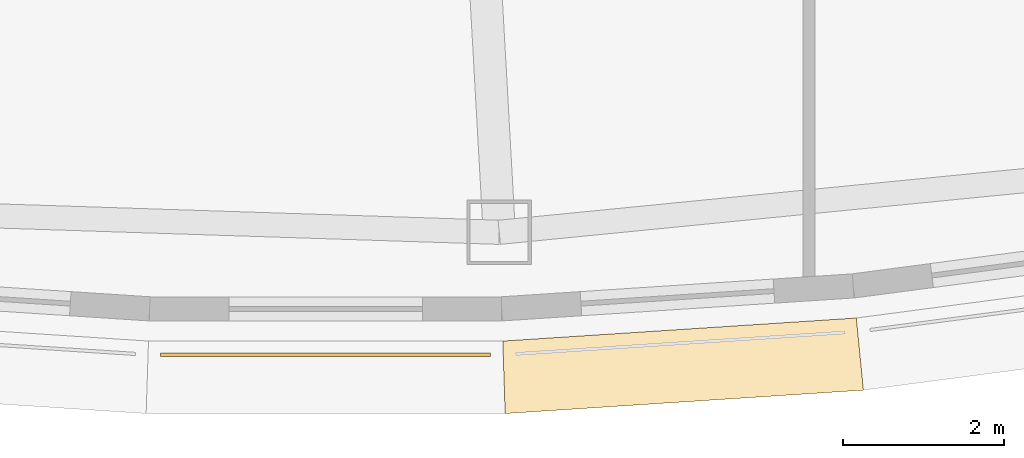
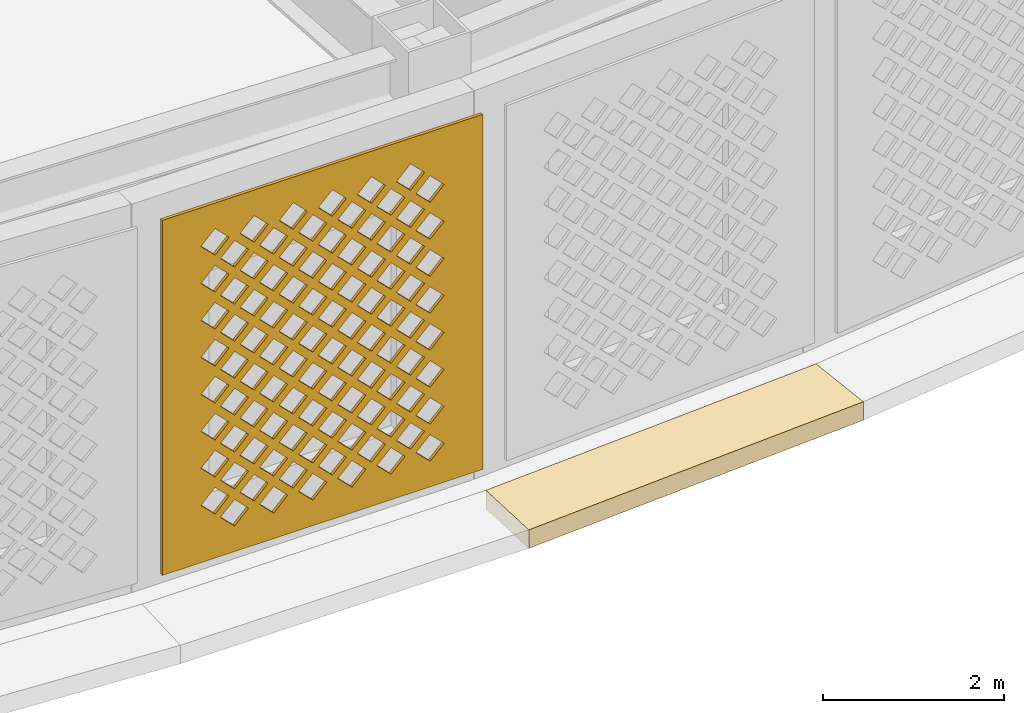
# One storey, part 52 of 69: 2 coverings.
"""IFC4 building model written with IfcOpenShell, lengths in metres."""

from ifc_helpers import new_model, si_unit, direction, frame, origin, place, context, subcontext, project, spatial, polyline, outline, extrude, material, layer, layer_set, type_object, element, save


model = new_model("IFC4")

# Units and contexts
model_context = context("Model", 3, precision=1e-05, world=origin(), true_north=direction((0.0, 1.0)))
body_context = subcontext(model_context, "Body", "Model", "MODEL_VIEW")
ifc_project = project(units=[si_unit("LENGTHUNIT", "METRE"), si_unit("AREAUNIT", "SQUARE_METRE"), si_unit("VOLUMEUNIT", "CUBIC_METRE"), si_unit("PLANEANGLEUNIT", "RADIAN"), si_unit("MASSUNIT", "GRAM", prefix="KILO")], contexts=[model_context])

# Site, building, storey
site_placement = place(None, origin())
site = spatial("IfcSite", under=ifc_project, at=site_placement, CompositionType="ELEMENT")
building_placement = place(site_placement, origin())
building = spatial("IfcBuilding", under=site, at=building_placement, Name="Noorbagh Ring Tower", CompositionType="ELEMENT")
storey_placement = place(building_placement, frame((0.0, 0.0, 19.5)))
storey = spatial("IfcBuildingStorey", under=building, at=storey_placement, Name="L03", CompositionType="ELEMENT", Elevation=19.5)

# Coverings
ifc_material_1 = material(Name="Red sandstone eave", Category="masonry")
covering_type_1 = type_object("IfcCoveringType", Name="STY-CHHAJJA", PredefinedType="USERDEFINED", material=ifc_material_1)
covering_1_placement = place(storey_placement, frame((0.0, 0.0, -0.25)))
element("IfcCovering", 1, at=covering_1_placement, inside=storey, type_object=covering_type_1, Name="Chhajja eave", ObjectType="CHHAJJA", PredefinedType="USERDEFINED", context=body_context, shape_type="SweptSolid", body=[
    extrude(outline(polyline([(2.198486328125, -39.964111328125), (6.586181640625, -39.677978515625), (6.67431640625, -40.573974609375), (2.227783203125, -40.8642578125), (2.198486328125, -39.964111328125)])), origin(), (0.0, 0.0, 1.0), 0.25),
])
ifc_material_2 = material(Name="Red sandstone jali", Category="masonry")
ifc_layer = layer(ifc_material_2, 0.0400390625)
ifc_layer_set = layer_set([ifc_layer], Name="Red sandstone jali")
covering_type_2 = type_object("IfcCoveringType", Name="STY-JALI", PredefinedType="USERDEFINED", material=ifc_layer_set)
covering_2_placement = place(storey_placement, frame((-2.048583984375, -40.154296875, 0.449951171875), z_axis=(0.0, -1.0, 0.0), x_axis=(1.0, 0.0, 0.0)))
element("IfcCovering", 2, at=covering_2_placement, inside=storey, type_object=covering_type_2, Name="Jali screen", ObjectType="SCREEN", PredefinedType="USERDEFINED", context=body_context, shape_type="SweptSolid", body=[
    extrude(outline(polyline([(0.0, 0.0), (4.09716796875, 0.0), (4.09716796875, 4.800048828125), (0.0, 4.800048828125), (0.0, 0.0)]), holes=[polyline([(0.743408203125, 0.52490234375), (0.923583984375, 0.344970703125), (1.103515625, 0.52490234375), (0.923583984375, 0.705078125), (0.743408203125, 0.52490234375)]), polyline([(1.243408203125, 0.52490234375), (1.423583984375, 0.344970703125), (1.603515625, 0.52490234375), (1.423583984375, 0.705078125), (1.243408203125, 0.52490234375)]), polyline([(1.743408203125, 0.52490234375), (1.923583984375, 0.344970703125), (2.103515625, 0.52490234375), (1.923583984375, 0.705078125), (1.743408203125, 0.52490234375)]), polyline([(2.243408203125, 0.52490234375), (2.423583984375, 0.344970703125), (2.603515625, 0.52490234375), (2.423583984375, 0.705078125), (2.243408203125, 0.52490234375)]), polyline([(2.743408203125, 0.52490234375), (2.923583984375, 0.344970703125), (3.103515625, 0.52490234375), (2.923583984375, 0.705078125), (2.743408203125, 0.52490234375)]), polyline([(3.243408203125, 0.52490234375), (3.423583984375, 0.344970703125), (3.603515625, 0.52490234375), (3.423583984375, 0.705078125), (3.243408203125, 0.52490234375)]), polyline([(0.493408203125, 0.77490234375), (0.673583984375, 0.594970703125), (0.853515625, 0.77490234375), (0.673583984375, 0.955078125), (0.493408203125, 0.77490234375)]), polyline([(0.993408203125, 0.77490234375), (1.173583984375, 0.594970703125), (1.353515625, 0.77490234375), (1.173583984375, 0.955078125), (0.993408203125, 0.77490234375)]), polyline([(1.493408203125, 0.77490234375), (1.673583984375, 0.594970703125), (1.853515625, 0.77490234375), (1.673583984375, 0.955078125), (1.493408203125, 0.77490234375)]), polyline([(1.993408203125, 0.77490234375), (2.173583984375, 0.594970703125), (2.353515625, 0.77490234375), (2.173583984375, 0.955078125), (1.993408203125, 0.77490234375)]), polyline([(2.493408203125, 0.77490234375), (2.673583984375, 0.594970703125), (2.853515625, 0.77490234375), (2.673583984375, 0.955078125), (2.493408203125, 0.77490234375)]), polyline([(2.993408203125, 0.77490234375), (3.173583984375, 0.594970703125), (3.353515625, 0.77490234375), (3.173583984375, 0.955078125), (2.993408203125, 0.77490234375)]), polyline([(0.743408203125, 1.02490234375), (0.923583984375, 0.844970703125), (1.103515625, 1.02490234375), (0.923583984375, 1.205078125), (0.743408203125, 1.02490234375)]), polyline([(1.243408203125, 1.02490234375), (1.423583984375, 0.844970703125), (1.603515625, 1.02490234375), (1.423583984375, 1.205078125), (1.243408203125, 1.02490234375)]), polyline([(1.743408203125, 1.02490234375), (1.923583984375, 0.844970703125), (2.103515625, 1.02490234375), (1.923583984375, 1.205078125), (1.743408203125, 1.02490234375)]), polyline([(2.243408203125, 1.02490234375), (2.423583984375, 0.844970703125), (2.603515625, 1.02490234375), (2.423583984375, 1.205078125), (2.243408203125, 1.02490234375)]), polyline([(2.743408203125, 1.02490234375), (2.923583984375, 0.844970703125), (3.103515625, 1.02490234375), (2.923583984375, 1.205078125), (2.743408203125, 1.02490234375)]), polyline([(3.243408203125, 1.02490234375), (3.423583984375, 0.844970703125), (3.603515625, 1.02490234375), (3.423583984375, 1.205078125), (3.243408203125, 1.02490234375)]), polyline([(0.493408203125, 1.27490234375), (0.673583984375, 1.094970703125), (0.853515625, 1.27490234375), (0.673583984375, 1.455078125), (0.493408203125, 1.27490234375)]), polyline([(0.993408203125, 1.27490234375), (1.173583984375, 1.094970703125), (1.353515625, 1.27490234375), (1.173583984375, 1.455078125), (0.993408203125, 1.27490234375)]), polyline([(1.493408203125, 1.27490234375), (1.673583984375, 1.094970703125), (1.853515625, 1.27490234375), (1.673583984375, 1.455078125), (1.493408203125, 1.27490234375)]), polyline([(1.993408203125, 1.27490234375), (2.173583984375, 1.094970703125), (2.353515625, 1.27490234375), (2.173583984375, 1.455078125), (1.993408203125, 1.27490234375)]), polyline([(2.493408203125, 1.27490234375), (2.673583984375, 1.094970703125), (2.853515625, 1.27490234375), (2.673583984375, 1.455078125), (2.493408203125, 1.27490234375)]), polyline([(2.993408203125, 1.27490234375), (3.173583984375, 1.094970703125), (3.353515625, 1.27490234375), (3.173583984375, 1.455078125), (2.993408203125, 1.27490234375)]), polyline([(0.743408203125, 1.52490234375), (0.923583984375, 1.344970703125), (1.103515625, 1.52490234375), (0.923583984375, 1.705078125), (0.743408203125, 1.52490234375)]), polyline([(1.243408203125, 1.52490234375), (1.423583984375, 1.344970703125), (1.603515625, 1.52490234375), (1.423583984375, 1.705078125), (1.243408203125, 1.52490234375)]), polyline([(1.743408203125, 1.52490234375), (1.923583984375, 1.344970703125), (2.103515625, 1.52490234375), (1.923583984375, 1.705078125), (1.743408203125, 1.52490234375)]), polyline([(2.243408203125, 1.52490234375), (2.423583984375, 1.344970703125), (2.603515625, 1.52490234375), (2.423583984375, 1.705078125), (2.243408203125, 1.52490234375)]), polyline([(2.743408203125, 1.52490234375), (2.923583984375, 1.344970703125), (3.103515625, 1.52490234375), (2.923583984375, 1.705078125), (2.743408203125, 1.52490234375)]), polyline([(3.243408203125, 1.52490234375), (3.423583984375, 1.344970703125), (3.603515625, 1.52490234375), (3.423583984375, 1.705078125), (3.243408203125, 1.52490234375)]), polyline([(0.493408203125, 1.77490234375), (0.673583984375, 1.594970703125), (0.853515625, 1.77490234375), (0.673583984375, 1.955078125), (0.493408203125, 1.77490234375)]), polyline([(0.993408203125, 1.77490234375), (1.173583984375, 1.594970703125), (1.353515625, 1.77490234375), (1.173583984375, 1.955078125), (0.993408203125, 1.77490234375)]), polyline([(1.493408203125, 1.77490234375), (1.673583984375, 1.594970703125), (1.853515625, 1.77490234375), (1.673583984375, 1.955078125), (1.493408203125, 1.77490234375)]), polyline([(1.993408203125, 1.77490234375), (2.173583984375, 1.594970703125), (2.353515625, 1.77490234375), (2.173583984375, 1.955078125), (1.993408203125, 1.77490234375)]), polyline([(2.493408203125, 1.77490234375), (2.673583984375, 1.594970703125), (2.853515625, 1.77490234375), (2.673583984375, 1.955078125), (2.493408203125, 1.77490234375)]), polyline([(2.993408203125, 1.77490234375), (3.173583984375, 1.594970703125), (3.353515625, 1.77490234375), (3.173583984375, 1.955078125), (2.993408203125, 1.77490234375)]), polyline([(0.743408203125, 2.02490234375), (0.923583984375, 1.844970703125), (1.103515625, 2.02490234375), (0.923583984375, 2.205078125), (0.743408203125, 2.02490234375)]), polyline([(1.243408203125, 2.02490234375), (1.423583984375, 1.844970703125), (1.603515625, 2.02490234375), (1.423583984375, 2.205078125), (1.243408203125, 2.02490234375)]), polyline([(1.743408203125, 2.02490234375), (1.923583984375, 1.844970703125), (2.103515625, 2.02490234375), (1.923583984375, 2.205078125), (1.743408203125, 2.02490234375)]), polyline([(2.243408203125, 2.02490234375), (2.423583984375, 1.844970703125), (2.603515625, 2.02490234375), (2.423583984375, 2.205078125), (2.243408203125, 2.02490234375)]), polyline([(2.743408203125, 2.02490234375), (2.923583984375, 1.844970703125), (3.103515625, 2.02490234375), (2.923583984375, 2.205078125), (2.743408203125, 2.02490234375)]), polyline([(3.243408203125, 2.02490234375), (3.423583984375, 1.844970703125), (3.603515625, 2.02490234375), (3.423583984375, 2.205078125), (3.243408203125, 2.02490234375)]), polyline([(0.493408203125, 2.27490234375), (0.673583984375, 2.094970703125), (0.853515625, 2.27490234375), (0.673583984375, 2.455078125), (0.493408203125, 2.27490234375)]), polyline([(0.993408203125, 2.27490234375), (1.173583984375, 2.094970703125), (1.353515625, 2.27490234375), (1.173583984375, 2.455078125), (0.993408203125, 2.27490234375)]), polyline([(1.493408203125, 2.27490234375), (1.673583984375, 2.094970703125), (1.853515625, 2.27490234375), (1.673583984375, 2.455078125), (1.493408203125, 2.27490234375)]), polyline([(1.993408203125, 2.27490234375), (2.173583984375, 2.094970703125), (2.353515625, 2.27490234375), (2.173583984375, 2.455078125), (1.993408203125, 2.27490234375)]), polyline([(2.493408203125, 2.27490234375), (2.673583984375, 2.094970703125), (2.853515625, 2.27490234375), (2.673583984375, 2.455078125), (2.493408203125, 2.27490234375)]), polyline([(2.993408203125, 2.27490234375), (3.173583984375, 2.094970703125), (3.353515625, 2.27490234375), (3.173583984375, 2.455078125), (2.993408203125, 2.27490234375)]), polyline([(0.743408203125, 2.52490234375), (0.923583984375, 2.344970703125), (1.103515625, 2.52490234375), (0.923583984375, 2.705078125), (0.743408203125, 2.52490234375)]), polyline([(1.243408203125, 2.52490234375), (1.423583984375, 2.344970703125), (1.603515625, 2.52490234375), (1.423583984375, 2.705078125), (1.243408203125, 2.52490234375)]), polyline([(1.743408203125, 2.52490234375), (1.923583984375, 2.344970703125), (2.103515625, 2.52490234375), (1.923583984375, 2.705078125), (1.743408203125, 2.52490234375)]), polyline([(2.243408203125, 2.52490234375), (2.423583984375, 2.344970703125), (2.603515625, 2.52490234375), (2.423583984375, 2.705078125), (2.243408203125, 2.52490234375)]), polyline([(2.743408203125, 2.52490234375), (2.923583984375, 2.344970703125), (3.103515625, 2.52490234375), (2.923583984375, 2.705078125), (2.743408203125, 2.52490234375)]), polyline([(3.243408203125, 2.52490234375), (3.423583984375, 2.344970703125), (3.603515625, 2.52490234375), (3.423583984375, 2.705078125), (3.243408203125, 2.52490234375)]), polyline([(0.493408203125, 2.77490234375), (0.673583984375, 2.594970703125), (0.853515625, 2.77490234375), (0.673583984375, 2.955078125), (0.493408203125, 2.77490234375)]), polyline([(0.993408203125, 2.77490234375), (1.173583984375, 2.594970703125), (1.353515625, 2.77490234375), (1.173583984375, 2.955078125), (0.993408203125, 2.77490234375)]), polyline([(1.493408203125, 2.77490234375), (1.673583984375, 2.594970703125), (1.853515625, 2.77490234375), (1.673583984375, 2.955078125), (1.493408203125, 2.77490234375)]), polyline([(1.993408203125, 2.77490234375), (2.173583984375, 2.594970703125), (2.353515625, 2.77490234375), (2.173583984375, 2.955078125), (1.993408203125, 2.77490234375)]), polyline([(2.493408203125, 2.77490234375), (2.673583984375, 2.594970703125), (2.853515625, 2.77490234375), (2.673583984375, 2.955078125), (2.493408203125, 2.77490234375)]), polyline([(2.993408203125, 2.77490234375), (3.173583984375, 2.594970703125), (3.353515625, 2.77490234375), (3.173583984375, 2.955078125), (2.993408203125, 2.77490234375)]), polyline([(0.743408203125, 3.02490234375), (0.923583984375, 2.844970703125), (1.103515625, 3.02490234375), (0.923583984375, 3.205078125), (0.743408203125, 3.02490234375)]), polyline([(1.243408203125, 3.02490234375), (1.423583984375, 2.844970703125), (1.603515625, 3.02490234375), (1.423583984375, 3.205078125), (1.243408203125, 3.02490234375)]), polyline([(1.743408203125, 3.02490234375), (1.923583984375, 2.844970703125), (2.103515625, 3.02490234375), (1.923583984375, 3.205078125), (1.743408203125, 3.02490234375)]), polyline([(2.243408203125, 3.02490234375), (2.423583984375, 2.844970703125), (2.603515625, 3.02490234375), (2.423583984375, 3.205078125), (2.243408203125, 3.02490234375)]), polyline([(2.743408203125, 3.02490234375), (2.923583984375, 2.844970703125), (3.103515625, 3.02490234375), (2.923583984375, 3.205078125), (2.743408203125, 3.02490234375)]), polyline([(3.243408203125, 3.02490234375), (3.423583984375, 2.844970703125), (3.603515625, 3.02490234375), (3.423583984375, 3.205078125), (3.243408203125, 3.02490234375)]), polyline([(0.493408203125, 3.27490234375), (0.673583984375, 3.094970703125), (0.853515625, 3.27490234375), (0.673583984375, 3.455078125), (0.493408203125, 3.27490234375)]), polyline([(0.993408203125, 3.27490234375), (1.173583984375, 3.094970703125), (1.353515625, 3.27490234375), (1.173583984375, 3.455078125), (0.993408203125, 3.27490234375)]), polyline([(1.493408203125, 3.27490234375), (1.673583984375, 3.094970703125), (1.853515625, 3.27490234375), (1.673583984375, 3.455078125), (1.493408203125, 3.27490234375)]), polyline([(1.993408203125, 3.27490234375), (2.173583984375, 3.094970703125), (2.353515625, 3.27490234375), (2.173583984375, 3.455078125), (1.993408203125, 3.27490234375)]), polyline([(2.493408203125, 3.27490234375), (2.673583984375, 3.094970703125), (2.853515625, 3.27490234375), (2.673583984375, 3.455078125), (2.493408203125, 3.27490234375)]), polyline([(2.993408203125, 3.27490234375), (3.173583984375, 3.094970703125), (3.353515625, 3.27490234375), (3.173583984375, 3.455078125), (2.993408203125, 3.27490234375)]), polyline([(0.743408203125, 3.52490234375), (0.923583984375, 3.344970703125), (1.103515625, 3.52490234375), (0.923583984375, 3.705078125), (0.743408203125, 3.52490234375)]), polyline([(1.243408203125, 3.52490234375), (1.423583984375, 3.344970703125), (1.603515625, 3.52490234375), (1.423583984375, 3.705078125), (1.243408203125, 3.52490234375)]), polyline([(1.743408203125, 3.52490234375), (1.923583984375, 3.344970703125), (2.103515625, 3.52490234375), (1.923583984375, 3.705078125), (1.743408203125, 3.52490234375)]), polyline([(2.243408203125, 3.52490234375), (2.423583984375, 3.344970703125), (2.603515625, 3.52490234375), (2.423583984375, 3.705078125), (2.243408203125, 3.52490234375)]), polyline([(2.743408203125, 3.52490234375), (2.923583984375, 3.344970703125), (3.103515625, 3.52490234375), (2.923583984375, 3.705078125), (2.743408203125, 3.52490234375)]), polyline([(3.243408203125, 3.52490234375), (3.423583984375, 3.344970703125), (3.603515625, 3.52490234375), (3.423583984375, 3.705078125), (3.243408203125, 3.52490234375)]), polyline([(0.493408203125, 3.77490234375), (0.673583984375, 3.594970703125), (0.853515625, 3.77490234375), (0.673583984375, 3.955078125), (0.493408203125, 3.77490234375)]), polyline([(0.993408203125, 3.77490234375), (1.173583984375, 3.594970703125), (1.353515625, 3.77490234375), (1.173583984375, 3.955078125), (0.993408203125, 3.77490234375)]), polyline([(1.493408203125, 3.77490234375), (1.673583984375, 3.594970703125), (1.853515625, 3.77490234375), (1.673583984375, 3.955078125), (1.493408203125, 3.77490234375)]), polyline([(1.993408203125, 3.77490234375), (2.173583984375, 3.594970703125), (2.353515625, 3.77490234375), (2.173583984375, 3.955078125), (1.993408203125, 3.77490234375)]), polyline([(2.493408203125, 3.77490234375), (2.673583984375, 3.594970703125), (2.853515625, 3.77490234375), (2.673583984375, 3.955078125), (2.493408203125, 3.77490234375)]), polyline([(2.993408203125, 3.77490234375), (3.173583984375, 3.594970703125), (3.353515625, 3.77490234375), (3.173583984375, 3.955078125), (2.993408203125, 3.77490234375)]), polyline([(0.743408203125, 4.02490234375), (0.923583984375, 3.844970703125), (1.103515625, 4.02490234375), (0.923583984375, 4.205078125), (0.743408203125, 4.02490234375)]), polyline([(1.243408203125, 4.02490234375), (1.423583984375, 3.844970703125), (1.603515625, 4.02490234375), (1.423583984375, 4.205078125), (1.243408203125, 4.02490234375)]), polyline([(1.743408203125, 4.02490234375), (1.923583984375, 3.844970703125), (2.103515625, 4.02490234375), (1.923583984375, 4.205078125), (1.743408203125, 4.02490234375)]), polyline([(2.243408203125, 4.02490234375), (2.423583984375, 3.844970703125), (2.603515625, 4.02490234375), (2.423583984375, 4.205078125), (2.243408203125, 4.02490234375)]), polyline([(2.743408203125, 4.02490234375), (2.923583984375, 3.844970703125), (3.103515625, 4.02490234375), (2.923583984375, 4.205078125), (2.743408203125, 4.02490234375)]), polyline([(3.243408203125, 4.02490234375), (3.423583984375, 3.844970703125), (3.603515625, 4.02490234375), (3.423583984375, 4.205078125), (3.243408203125, 4.02490234375)]), polyline([(0.493408203125, 4.27490234375), (0.673583984375, 4.094970703125), (0.853515625, 4.27490234375), (0.673583984375, 4.455078125), (0.493408203125, 4.27490234375)]), polyline([(0.993408203125, 4.27490234375), (1.173583984375, 4.094970703125), (1.353515625, 4.27490234375), (1.173583984375, 4.455078125), (0.993408203125, 4.27490234375)]), polyline([(1.493408203125, 4.27490234375), (1.673583984375, 4.094970703125), (1.853515625, 4.27490234375), (1.673583984375, 4.455078125), (1.493408203125, 4.27490234375)]), polyline([(1.993408203125, 4.27490234375), (2.173583984375, 4.094970703125), (2.353515625, 4.27490234375), (2.173583984375, 4.455078125), (1.993408203125, 4.27490234375)]), polyline([(2.493408203125, 4.27490234375), (2.673583984375, 4.094970703125), (2.853515625, 4.27490234375), (2.673583984375, 4.455078125), (2.493408203125, 4.27490234375)]), polyline([(2.993408203125, 4.27490234375), (3.173583984375, 4.094970703125), (3.353515625, 4.27490234375), (3.173583984375, 4.455078125), (2.993408203125, 4.27490234375)])]), origin(), (0.0, 0.0, -1.0), 0.0400390625),
])

save(model, "model.ifc")
